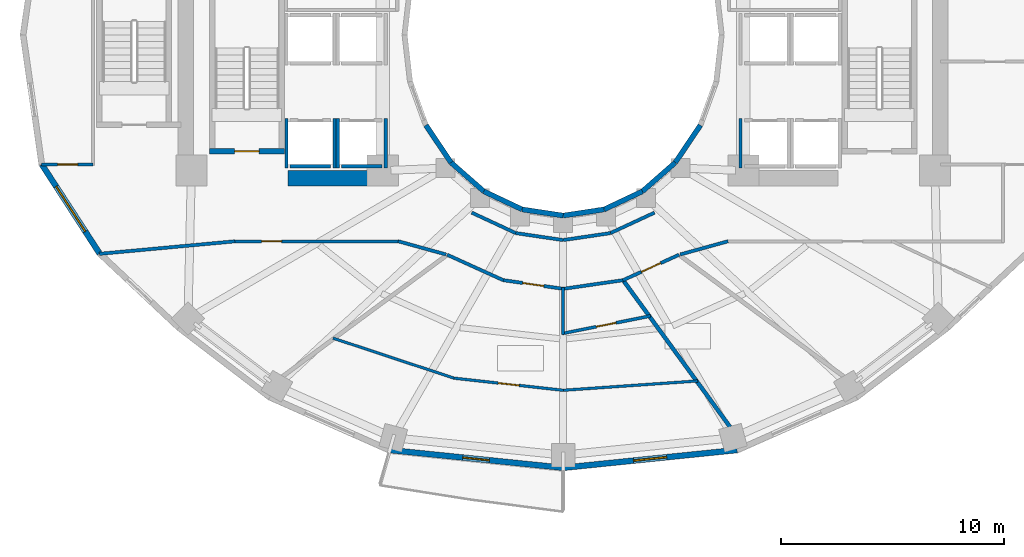
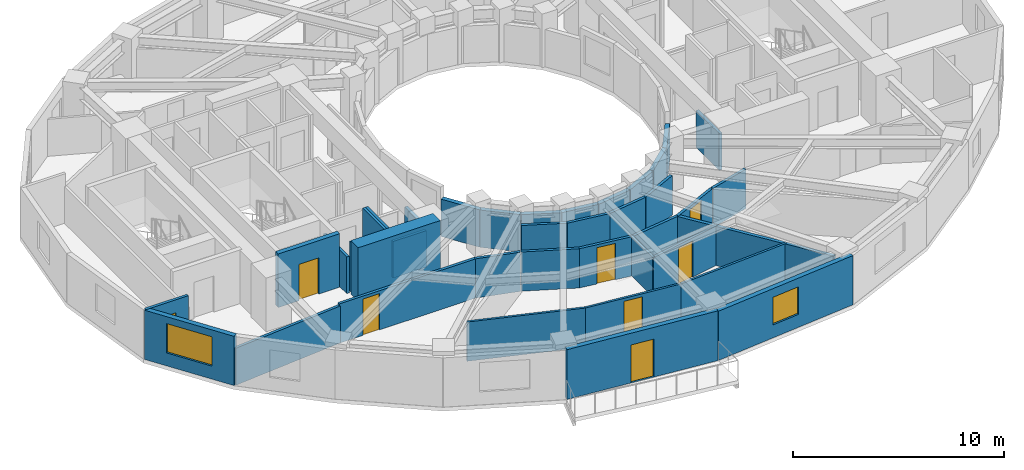
# One storey, part 3 of 9: 39 walls, 8 doors, 2 windows, 10 openings.
"""IFC4 building model written with IfcOpenShell, lengths in metres."""

from ifc_helpers import new_model, si_unit, direction, frame, frame_2d, origin, place, context, subcontext, project, spatial, rectangle, extrude, material, layer, layer_set, type_object, element, fill, save


model = new_model("IFC4")

# Units and contexts
model_context = context("Model", 3, precision=1e-05, world=origin(), true_north=direction((0.0, 1.0)))
body_context = subcontext(model_context, "Body", "Model", "MODEL_VIEW")
ifc_project = project(units=[si_unit("LENGTHUNIT", "METRE"), si_unit("AREAUNIT", "SQUARE_METRE"), si_unit("VOLUMEUNIT", "CUBIC_METRE"), si_unit("PLANEANGLEUNIT", "RADIAN"), si_unit("MASSUNIT", "GRAM", prefix="KILO")], contexts=[model_context])

# Site, building, storey
site_placement = place(None, origin())
site = spatial("IfcSite", under=ifc_project, at=site_placement, CompositionType="ELEMENT")
building_placement = place(site_placement, origin())
building = spatial("IfcBuilding", under=site, at=building_placement, Name="Solvane Sanctuary Tower", CompositionType="ELEMENT")
storey_placement = place(building_placement, frame((0.0, 0.0, 98.0)))
storey = spatial("IfcBuildingStorey", under=building, at=storey_placement, Name="L29", CompositionType="ELEMENT", Elevation=98.0)

# Walls
ifc_material_1 = material(Name="Concrete C60/75", Category="concrete")
ifc_layer_1 = layer(ifc_material_1, 0.699951171875, Name="Concrete C60/75")
ifc_layer_set_1 = layer_set([ifc_layer_1], Name="Concrete C60/75")
wall_type_1 = type_object("IfcWallType", Name="Wall W-CORE-700", PredefinedType="SHEAR", material=ifc_layer_set_1)
wall_1_placement = place(storey_placement, frame((19.64990234375, 16.550048828125, 0.0), z_axis=(0.0, 0.0, 1.0), x_axis=(1.0, 0.0, 0.0)))
element("IfcWall", 1, at=wall_1_placement, inside=storey, type_object=wall_type_1, Name="L29 Core Shear Wall WC-S", PredefinedType="SHEAR", context=body_context, shape_type="SweptSolid", body=[
    extrude(rectangle(XDim=4.5, YDim=0.699951171875, at=frame_2d((2.25, 0.0))), origin(), (0.0, 0.0, 1.0), 3.10009765625),
])
ifc_material_2 = material(Name="Acoustic Gypsum Partition Board")
ifc_layer_2 = layer(ifc_material_2, 0.14990234375, Name="Acoustic Gypsum Partition Board")
ifc_layer_set_2 = layer_set([ifc_layer_2], Name="Acoustic Gypsum Partition Board")
wall_type_2 = type_object("IfcWallType", Name="Wall W-CORR-150", PredefinedType="PARTITIONING", material=ifc_layer_set_2)
wall_2_placement = place(storey_placement, frame((27.889892578125, 15.01513671875, 0.0), z_axis=(0.0, 0.0, 1.0), x_axis=(0.906943449489, -0.421252393975, 0.0)))
element("IfcWall", 2, at=wall_2_placement, inside=storey, type_object=wall_type_2, Name="L29 Light-Well Corridor Rim Wall S1", PredefinedType="PARTITIONING", context=body_context, shape_type="SweptSolid", body=[
    extrude(rectangle(XDim=2.18603515625, YDim=0.14990234375, at=frame_2d((1.093017578125, 0.0))), origin(), (0.0, 0.0, 1.0), 2.27197265625),
])
for number, where, z_axis, x_axis, name in (
    (3, (29.87255859375, 14.09423828125, 0.0), (0.0, 0.0, 1.0), (0.989268584896, -0.146108408166, 0.0), "L29 Light-Well Corridor Rim Wall S2"),
    (4, (32.0, 13.780029296875, 0.0), (0.0, 0.0, 1.0), (0.989268584896, 0.146108408166, 0.0), "L29 Light-Well Corridor Rim Wall S3"),
):
    element("IfcWall", number, at=place(storey_placement, frame(where, z_axis=z_axis, x_axis=x_axis)), inside=storey, type_object=wall_type_2, Name=name, PredefinedType="PARTITIONING", context=body_context, shape_type="SweptSolid", body=[
        extrude(rectangle(XDim=2.150634765625, YDim=0.14990234375, at=frame_2d((1.0751953125, 0.0))), origin(), (0.0, 0.0, 1.0), 2.27197265625),
    ])
wall_3_placement = place(storey_placement, frame((34.12744140625, 14.09423828125, 0.0), z_axis=(0.0, 0.0, 1.0), x_axis=(0.906943449489, 0.421252393975, 0.0)))
element("IfcWall", 5, at=wall_3_placement, inside=storey, type_object=wall_type_2, Name="L29 Light-Well Corridor Rim Wall S4", PredefinedType="PARTITIONING", context=body_context, shape_type="SweptSolid", body=[
    extrude(rectangle(XDim=2.18603515625, YDim=0.14990234375, at=frame_2d((1.093017578125, 0.0))), origin(), (0.0, 0.0, 1.0), 2.27197265625),
])

# Wall, opening, door
wall_4_placement = place(storey_placement, frame((8.558349609375, 17.1748046875, 0.0), z_axis=(0.0, 0.0, 1.0), x_axis=(1.0, 0.0, 0.0)))
wall_4 = element("IfcWall", 6, at=wall_4_placement, inside=storey, type_object=wall_type_2, Name="L29 West Shoulder South Wall", PredefinedType="PARTITIONING", context=body_context, shape_type="SweptSolid", body=[
    extrude(rectangle(XDim=2.321533203125, YDim=0.14990234375, at=frame_2d((1.16064453125, 0.0))), origin(), (0.0, 0.0, 1.0), 2.85498046875),
])
opening_1_placement = place(wall_4_placement, frame((0.73095703125, 0.0, 0.0)))
opening_1 = element("IfcOpeningElement", 7, at=opening_1_placement, cuts=wall_4, Name="Opening D-L29-14", PredefinedType="OPENING", context=body_context, shape_type="SweptSolid", body=[
    extrude(rectangle(XDim=0.89990234375, YDim=2.10009765625, at=frame_2d((0.449951171875, 1.050048828125))), frame((0.0, 0.0849609375, 0.0), z_axis=(0.0, -1.0, 0.0), x_axis=(1.0, 0.0, 0.0)), (0.0, 0.0, 1.0), 0.169921875),
])
ifc_material_3 = material(Name="Engineered Tropical Hardwood", Category="wood")
door_type_1 = type_object("IfcDoorType", Name="Door D-WET-900", OperationType="NOTDEFINED", PredefinedType="DOOR", material=ifc_material_3)
door_1_placement = place(opening_1_placement, origin())
door_1 = element("IfcDoor", 8, at=door_1_placement, inside=storey, type_object=door_type_1, Name="L29 West Shoulder South Door", OperationType="SINGLE_SWING_RIGHT", OverallHeight=2.10009765625, OverallWidth=0.89990234375, PredefinedType="DOOR", context=body_context, shape_type="SweptSolid", body=[
    extrude(rectangle(XDim=0.89990234375, YDim=2.10009765625, at=frame_2d((0.449951171875, 1.050048828125))), frame((0.0, 0.02490234375, 0.0), z_axis=(0.0, -1.0, 0.0), x_axis=(1.0, 0.0, 0.0)), (0.0, 0.0, 1.0), 0.050048828125),
])
fill(opening_1, door_1)

# Wall
wall_5_placement = place(storey_placement, frame((26.741943359375, 13.13330078125, 0.0), z_axis=(0.0, 0.0, 1.0), x_axis=(-0.963833843713, 0.266503886865, 0.0)))
element("IfcWall", 9, at=wall_5_placement, inside=storey, type_object=wall_type_2, Name="L29 SW Corner Throat Wall", PredefinedType="PARTITIONING", context=body_context, shape_type="SweptSolid", body=[
    extrude(rectangle(XDim=2.231689453125, YDim=0.14990234375, at=frame_2d((1.11572265625, 0.0))), origin(), (0.0, 0.0, 1.0), 2.27197265625),
])

# Wall, opening, door
wall_6_placement = place(storey_placement, frame((17.14990234375, 13.719970703125, 0.0), z_axis=(0.0, 0.0, 1.0), x_axis=(1.0, 0.0, 0.0)))
wall_6 = element("IfcWall", 10, at=wall_6_placement, inside=storey, type_object=wall_type_2, Name="L29 SW Corner Corridor Wall", PredefinedType="PARTITIONING", context=body_context, shape_type="SweptSolid", body=[
    extrude(rectangle(XDim=7.52001953125, YDim=0.14990234375, at=frame_2d((3.760009765625, 0.0))), origin(), (0.0, 0.0, 1.0), 2.27197265625),
])
opening_2_placement = place(wall_6_placement, frame((1.300048828125, 0.0, 0.0)))
opening_2 = element("IfcOpeningElement", 11, at=opening_2_placement, cuts=wall_6, Name="Opening D-L29-18", PredefinedType="OPENING", context=body_context, shape_type="SweptSolid", body=[
    extrude(rectangle(XDim=0.89990234375, YDim=2.10009765625, at=frame_2d((0.449951171875, 1.050048828125))), frame((0.0, 0.0849609375, 0.0), z_axis=(0.0, -1.0, 0.0), x_axis=(1.0, 0.0, 0.0)), (0.0, 0.0, 1.0), 0.169921875),
])
door_2_placement = place(opening_2_placement, origin())
door_2 = element("IfcDoor", 12, at=door_2_placement, inside=storey, type_object=door_type_1, Name="L29 SW Corner Salon Door", OperationType="SINGLE_SWING_RIGHT", OverallHeight=2.10009765625, OverallWidth=0.89990234375, PredefinedType="DOOR", context=body_context, shape_type="SweptSolid", body=[
    extrude(rectangle(XDim=0.89990234375, YDim=2.10009765625, at=frame_2d((0.449951171875, 1.050048828125))), frame((0.0, 0.02490234375, 0.0), z_axis=(0.0, -1.0, 0.0), x_axis=(1.0, 0.0, 0.0)), (0.0, 0.0, 1.0), 0.050048828125),
])
fill(opening_2, door_2)

# Walls
wall_7_placement = place(storey_placement, frame((17.249755859375, 13.724609375, 0.0), z_axis=(0.0, 0.0, 1.0), x_axis=(-0.995748209098, -0.092116795851, 0.0)))
element("IfcWall", 13, at=wall_7_placement, inside=storey, type_object=wall_type_2, Name="L29 SW Corner Wing Wall", PredefinedType="PARTITIONING", context=body_context, shape_type="SweptSolid", body=[
    extrude(rectangle(XDim=6.111572265625, YDim=0.14990234375, at=frame_2d((3.0556640625, 0.0))), origin(), (0.0, 0.0, 1.0), 2.14208984375),
])
wall_8_placement = place(storey_placement, frame((37.258056640625, 13.13330078125, 0.0), z_axis=(0.0, 0.0, 1.0), x_axis=(0.963833843713, 0.266503886865, 0.0)))
element("IfcWall", 14, at=wall_8_placement, inside=storey, type_object=wall_type_2, Name="L29 SE Corner Throat Wall", PredefinedType="PARTITIONING", context=body_context, shape_type="SweptSolid", body=[
    extrude(rectangle(XDim=2.231689453125, YDim=0.14990234375, at=frame_2d((1.11572265625, 0.0))), origin(), (0.0, 0.0, 1.0), 2.27197265625),
])
wall_9_placement = place(storey_placement, frame((31.950439453125, 11.5830078125, 0.0), z_axis=(0.0, 0.0, 1.0), x_axis=(0.989761784218, 0.142729150844, 0.0)))
element("IfcWall", 15, at=wall_9_placement, inside=storey, type_object=wall_type_2, Name="L29 En-suite Inner Wall S1", PredefinedType="PARTITIONING", context=body_context, shape_type="SweptSolid", body=[
    extrude(rectangle(XDim=2.822265625, YDim=0.14990234375, at=frame_2d((1.4111328125, 0.0))), origin(), (0.0, 0.0, 1.0), 2.27197265625),
])
wall_10_placement = place(storey_placement, frame((26.788818359375, 13.12255859375, 0.0), z_axis=(0.0, 0.0, 1.0), x_axis=(0.910568469686, -0.41335827319, 0.0)))
element("IfcWall", 16, at=wall_10_placement, inside=storey, type_object=wall_type_2, Name="L29 Unit Corridor Wall S1", PredefinedType="PARTITIONING", context=body_context, shape_type="SweptSolid", body=[
    extrude(rectangle(XDim=2.771728515625, YDim=0.14990234375, at=frame_2d((1.3857421875, 0.0))), origin(), (0.0, 0.0, 1.0), 2.27197265625),
])

# Wall, opening, door
wall_11_placement = place(storey_placement, frame((29.298583984375, 11.98095703125, 0.0), z_axis=(0.0, 0.0, 1.0), x_axis=(0.989748682384, -0.142819976611, 0.0)))
wall_11 = element("IfcWall", 17, at=wall_11_placement, inside=storey, type_object=wall_type_2, Name="L29 Unit Corridor Wall S1", PredefinedType="PARTITIONING", context=body_context, shape_type="SweptSolid", body=[
    extrude(rectangle(XDim=2.73681640625, YDim=0.14990234375, at=frame_2d((1.368408203125, 0.0))), origin(), (0.0, 0.0, 1.0), 2.27197265625),
])
opening_3_placement = place(wall_11_placement, frame((0.893310546875, 0.0, 0.0)))
opening_3 = element("IfcOpeningElement", 18, at=opening_3_placement, cuts=wall_11, Name="Opening D-L29-27", PredefinedType="OPENING", context=body_context, shape_type="SweptSolid", body=[
    extrude(rectangle(XDim=0.949951171875, YDim=2.10009765625, at=frame_2d((0.47509765625, 1.050048828125))), frame((0.0, 0.0849609375, 0.0), z_axis=(0.0, -1.0, 0.0), x_axis=(1.0, 0.0, 0.0)), (0.0, 0.0, 1.0), 0.169921875),
])
door_type_2 = type_object("IfcDoorType", Name="Door D-ROOM-950", OperationType="NOTDEFINED", PredefinedType="DOOR", material=ifc_material_3)
door_3_placement = place(opening_3_placement, origin())
door_3 = element("IfcDoor", 19, at=door_3_placement, inside=storey, type_object=door_type_2, Name="L29 Unit Entrance Door S1", OperationType="SINGLE_SWING_LEFT", OverallHeight=2.10009765625, OverallWidth=0.949951171875, PredefinedType="DOOR", context=body_context, shape_type="SweptSolid", body=[
    extrude(rectangle(XDim=0.949951171875, YDim=2.10009765625, at=frame_2d((0.47509765625, 1.050048828125))), frame((0.0, 0.02490234375, 0.0), z_axis=(0.0, -1.0, 0.0), x_axis=(1.0, 0.0, 0.0)), (0.0, 0.0, 1.0), 0.050048828125),
])
fill(opening_3, door_3)

wall_12_placement = place(storey_placement, frame((34.687255859375, 11.976806640625, 0.0), z_axis=(0.0, 0.0, 1.0), x_axis=(0.910568469686, 0.41335827319, 0.0)))
wall_12 = element("IfcWall", 20, at=wall_12_placement, inside=storey, type_object=wall_type_2, Name="L29 Unit Corridor Wall S2", PredefinedType="PARTITIONING", context=body_context, shape_type="SweptSolid", body=[
    extrude(rectangle(XDim=2.771728515625, YDim=0.14990234375, at=frame_2d((1.3857421875, 0.0))), origin(), (0.0, 0.0, 1.0), 2.27197265625),
])
opening_4_placement = place(wall_12_placement, frame((0.910888671875, 0.0, 0.0)))
opening_4 = element("IfcOpeningElement", 21, at=opening_4_placement, cuts=wall_12, Name="Opening D-L29-28", PredefinedType="OPENING", context=body_context, shape_type="SweptSolid", body=[
    extrude(rectangle(XDim=0.949951171875, YDim=2.10009765625, at=frame_2d((0.47509765625, 1.050048828125))), frame((0.0, 0.0849609375, 0.0), z_axis=(0.0, -1.0, 0.0), x_axis=(1.0, 0.0, 0.0)), (0.0, 0.0, 1.0), 0.169921875),
])
door_4_placement = place(opening_4_placement, origin())
door_4 = element("IfcDoor", 22, at=door_4_placement, inside=storey, type_object=door_type_2, Name="L29 Unit Entrance Door S2", OperationType="SINGLE_SWING_RIGHT", OverallHeight=2.10009765625, OverallWidth=0.949951171875, PredefinedType="DOOR", context=body_context, shape_type="SweptSolid", body=[
    extrude(rectangle(XDim=0.949951171875, YDim=2.10009765625, at=frame_2d((0.47509765625, 1.050048828125))), frame((0.0, 0.02490234375, 0.0), z_axis=(0.0, -1.0, 0.0), x_axis=(1.0, 0.0, 0.0)), (0.0, 0.0, 1.0), 0.050048828125),
])
fill(opening_4, door_4)

# Wall, opening, window
ifc_material_4 = material(Name="Precast concrete C40/50", Category="concrete")
ifc_layer_3 = layer(ifc_material_4, 0.260009765625, Name="Precast concrete C40/50")
ifc_layer_set_3 = layer_set([ifc_layer_3], Name="Precast concrete C40/50")
wall_type_3 = type_object("IfcWallType", Name="Wall W-EXT-250", PredefinedType="STANDARD", material=ifc_layer_set_3)
wall_13_placement = place(storey_placement, frame((8.578125, 17.181396484375, 0.0), z_axis=(0.0, 0.0, 1.0), x_axis=(0.544388392991, -0.838833283541, 0.0)))
wall_13 = element("IfcWall", 23, at=wall_13_placement, inside=storey, type_object=wall_type_3, Name="L29 Ceramic-Printed Facade Wall 13", PredefinedType="STANDARD", context=body_context, shape_type="SweptSolid", body=[
    extrude(rectangle(XDim=4.7783203125, YDim=0.260009765625, at=frame_2d((2.38916015625, 0.0))), origin(), (0.0, 0.0, 1.0), 2.85009765625),
])
opening_5_placement = place(wall_13_placement, frame((1.189208984375, 0.0, 0.75)))
opening_5 = element("IfcOpeningElement", 24, at=opening_5_placement, cuts=wall_13, Name="Opening WN-RIB-2400", PredefinedType="OPENING", context=body_context, shape_type="SweptSolid", body=[
    extrude(rectangle(XDim=2.39990234375, YDim=1.699951171875, at=frame_2d((1.199951171875, 0.85009765625))), frame((0.0, 0.139892578125, 0.0), z_axis=(0.0, -1.0, 0.0), x_axis=(1.0, 0.0, 0.0)), (0.0, 0.0, 1.0), 0.280029296875),
])
ifc_material_5 = material(Name="Dark Ceramic-Fritted Low-E Glass", Category="glass")
window_type_1 = type_object("IfcWindowType", Name="Window WN-RIB-2400", PartitioningType="SINGLE_PANEL", PredefinedType="WINDOW", material=ifc_material_5)
window_1_placement = place(opening_5_placement, origin())
window_1 = element("IfcWindow", 25, at=window_1_placement, inside=storey, type_object=window_type_1, Name="L29 Operable Facade Window 13", OverallHeight=1.699951171875, OverallWidth=2.39990234375, PartitioningType="SINGLE_PANEL", PredefinedType="WINDOW", context=body_context, shape_type="SweptSolid", body=[
    extrude(rectangle(XDim=2.39990234375, YDim=1.699951171875, at=frame_2d((1.199951171875, 0.85009765625))), frame((0.0, 0.030029296875, 0.0), z_axis=(0.0, -1.0, 0.0), x_axis=(1.0, 0.0, 0.0)), (0.0, 0.0, 1.0), 0.06005859375),
])
fill(opening_5, window_1)

# Wall, opening, door
wall_14_placement = place(storey_placement, frame((24.18359375, 4.349365234375, 0.0), z_axis=(0.0, 0.0, 1.0), x_axis=(0.994821390558, -0.101638579726, 0.0)))
wall_14 = element("IfcWall", 26, at=wall_14_placement, inside=storey, type_object=wall_type_3, Name="L29 Balcony Facade Wall SC", PredefinedType="STANDARD", context=body_context, shape_type="SweptSolid", body=[
    extrude(rectangle(XDim=7.857177734375, YDim=0.260009765625, at=frame_2d((3.9287109375, 0.0))), origin(), (0.0, 0.0, 1.0), 2.8798828125),
])
opening_6_placement = place(wall_14_placement, frame((3.32861328125, 0.0, 0.0)))
opening_6 = element("IfcOpeningElement", 27, at=opening_6_placement, cuts=wall_14, Name="Opening D-L29-02", PredefinedType="OPENING", context=body_context, shape_type="SweptSolid", body=[
    extrude(rectangle(XDim=1.199951171875, YDim=2.199951171875, at=frame_2d((0.60009765625, 1.10009765625))), frame((0.0, 0.139892578125, 0.0), z_axis=(0.0, -1.0, 0.0), x_axis=(1.0, 0.0, 0.0)), (0.0, 0.0, 1.0), 0.280029296875),
])
ifc_material_6 = material(Name="Anodised Aluminium 6063-T6", Category="aluminium")
door_type_3 = type_object("IfcDoorType", Name="Door D-BALC-1200", OperationType="NOTDEFINED", PredefinedType="DOOR", material=ifc_material_6)
door_5_placement = place(opening_6_placement, origin())
door_5 = element("IfcDoor", 28, at=door_5_placement, inside=storey, type_object=door_type_3, Name="L29 Glazed Balcony Door SC", OperationType="SINGLE_SWING_LEFT", OverallHeight=2.199951171875, OverallWidth=1.199951171875, PredefinedType="DOOR", context=body_context, shape_type="SweptSolid", body=[
    extrude(rectangle(XDim=1.199951171875, YDim=2.199951171875, at=frame_2d((0.60009765625, 1.10009765625))), frame((0.0, 0.02490234375, 0.0), z_axis=(0.0, -1.0, 0.0), x_axis=(1.0, 0.0, 0.0)), (0.0, 0.0, 1.0), 0.050048828125),
])
fill(opening_6, door_5)

# Wall, opening, window
wall_15_placement = place(storey_placement, frame((32.0, 3.55078125, 0.0), z_axis=(0.0, 0.0, 1.0), x_axis=(0.994821390558, 0.101638579726, 0.0)))
wall_15 = element("IfcWall", 29, at=wall_15_placement, inside=storey, type_object=wall_type_3, Name="L29 Ceramic-Printed Facade Wall 18", PredefinedType="STANDARD", context=body_context, shape_type="SweptSolid", body=[
    extrude(rectangle(XDim=7.857177734375, YDim=0.260009765625, at=frame_2d((3.9287109375, 0.0))), origin(), (0.0, 0.0, 1.0), 2.85009765625),
])
opening_7_placement = place(wall_15_placement, frame((3.178466796875, 0.0, 0.75)))
opening_7 = element("IfcOpeningElement", 30, at=opening_7_placement, cuts=wall_15, Name="Opening WN-OPER-1500", PredefinedType="OPENING", context=body_context, shape_type="SweptSolid", body=[
    extrude(rectangle(XDim=1.5, YDim=1.60009765625, at=frame_2d((0.75, 0.800048828125))), frame((0.0, 0.139892578125, 0.0), z_axis=(0.0, -1.0, 0.0), x_axis=(1.0, 0.0, 0.0)), (0.0, 0.0, 1.0), 0.280029296875),
])
window_type_2 = type_object("IfcWindowType", Name="Window WN-OPER-1500", PartitioningType="SINGLE_PANEL", PredefinedType="WINDOW", material=ifc_material_5)
window_2_placement = place(opening_7_placement, origin())
window_2 = element("IfcWindow", 31, at=window_2_placement, inside=storey, type_object=window_type_2, Name="L29 Operable Facade Window 18", OverallHeight=1.60009765625, OverallWidth=1.5, PartitioningType="SINGLE_PANEL", PredefinedType="WINDOW", context=body_context, shape_type="SweptSolid", body=[
    extrude(rectangle(XDim=1.5, YDim=1.60009765625, at=frame_2d((0.75, 0.800048828125))), frame((0.0, 0.030029296875, 0.0), z_axis=(0.0, -1.0, 0.0), x_axis=(1.0, 0.0, 0.0)), (0.0, 0.0, 1.0), 0.06005859375),
])
fill(opening_7, window_2)

# Walls
ifc_layer_4 = layer(ifc_material_4, 0.22998046875, Name="Precast concrete C40/50")
ifc_layer_set_4 = layer_set([ifc_layer_4], Name="Precast concrete C40/50")
wall_type_4 = type_object("IfcWallType", Name="Wall W-EXT-SP220", PredefinedType="STANDARD", material=ifc_layer_set_4)
wall_16_placement = place(storey_placement, frame((25.833984375, 18.93994140625, 0.0), z_axis=(0.0, 0.0, 1.0), x_axis=(0.558197800898, -0.829707909492, 0.0)))
element("IfcWall", 32, at=wall_16_placement, inside=storey, type_object=wall_type_4, Name="L29 Central Light-Well Wall 14", PredefinedType="STANDARD", context=body_context, shape_type="SweptSolid", body=[
    extrude(rectangle(XDim=2.02685546875, YDim=0.22998046875, at=frame_2d((1.013427734375, 0.0))), origin(), (0.0, 0.0, 1.0), 2.159912109375),
])
wall_17_placement = place(storey_placement, frame((26.96533203125, 17.25830078125, 0.0), z_axis=(0.0, 0.0, 1.0), x_axis=(0.752576694707, -0.658504607869, 0.0)))
element("IfcWall", 33, at=wall_17_placement, inside=storey, type_object=wall_type_4, Name="L29 Central Light-Well Wall 15", PredefinedType="STANDARD", context=body_context, shape_type="SweptSolid", body=[
    extrude(rectangle(XDim=1.95947265625, YDim=0.22998046875, at=frame_2d((0.979736328125, 0.0))), origin(), (0.0, 0.0, 1.0), 2.159912109375),
])
wall_18_placement = place(storey_placement, frame((28.43994140625, 15.968017578125, 0.0), z_axis=(0.0, 0.0, 1.0), x_axis=(0.904179699603, -0.427152280606, 0.0)))
element("IfcWall", 34, at=wall_18_placement, inside=storey, type_object=wall_type_4, Name="L29 Central Light-Well Wall 16", PredefinedType="STANDARD", context=body_context, shape_type="SweptSolid", body=[
    extrude(rectangle(XDim=1.899169921875, YDim=0.22998046875, at=frame_2d((0.94970703125, 0.0))), origin(), (0.0, 0.0, 1.0), 2.159912109375),
])
for number, where, z_axis, x_axis, name in (
    (35, (30.1572265625, 15.15673828125, 0.0), (0.0, 0.0, 1.0), (0.988901730308, -0.148571086668, 0.0), "L29 Central Light-Well Wall 17"),
    (36, (32.0, 14.8798828125, 0.0), (0.0, 0.0, 1.0), (0.988901730308, 0.148571086668, 0.0), "L29 Central Light-Well Wall 18"),
):
    element("IfcWall", number, at=place(storey_placement, frame(where, z_axis=z_axis, x_axis=x_axis)), inside=storey, type_object=wall_type_4, Name=name, PredefinedType="STANDARD", context=body_context, shape_type="SweptSolid", body=[
        extrude(rectangle(XDim=1.863525390625, YDim=0.22998046875, at=frame_2d((0.931640625, 0.0))), origin(), (0.0, 0.0, 1.0), 2.159912109375),
    ])
wall_19_placement = place(storey_placement, frame((33.8427734375, 15.15673828125, 0.0), z_axis=(0.0, 0.0, 1.0), x_axis=(0.904179699603, 0.427152280606, 0.0)))
element("IfcWall", 37, at=wall_19_placement, inside=storey, type_object=wall_type_4, Name="L29 Central Light-Well Wall 19", PredefinedType="STANDARD", context=body_context, shape_type="SweptSolid", body=[
    extrude(rectangle(XDim=1.899169921875, YDim=0.22998046875, at=frame_2d((0.94970703125, 0.0))), origin(), (0.0, 0.0, 1.0), 2.159912109375),
])
wall_20_placement = place(storey_placement, frame((35.56005859375, 15.968017578125, 0.0), z_axis=(0.0, 0.0, 1.0), x_axis=(0.752576694707, 0.658504607869, 0.0)))
element("IfcWall", 38, at=wall_20_placement, inside=storey, type_object=wall_type_4, Name="L29 Central Light-Well Wall 20", PredefinedType="STANDARD", context=body_context, shape_type="SweptSolid", body=[
    extrude(rectangle(XDim=1.95947265625, YDim=0.22998046875, at=frame_2d((0.979736328125, 0.0))), origin(), (0.0, 0.0, 1.0), 2.159912109375),
])
wall_21_placement = place(storey_placement, frame((37.03466796875, 17.25830078125, 0.0), z_axis=(0.0, 0.0, 1.0), x_axis=(0.558197800898, 0.829707909492, 0.0)))
element("IfcWall", 39, at=wall_21_placement, inside=storey, type_object=wall_type_4, Name="L29 Central Light-Well Wall 21", PredefinedType="STANDARD", context=body_context, shape_type="SweptSolid", body=[
    extrude(rectangle(XDim=2.02685546875, YDim=0.22998046875, at=frame_2d((1.013427734375, 0.0))), origin(), (0.0, 0.0, 1.0), 2.159912109375),
])
ifc_layer_5 = layer(ifc_material_2, 0.1201171875, Name="Acoustic Gypsum Partition Board")
ifc_layer_set_5 = layer_set([ifc_layer_5], Name="Acoustic Gypsum Partition Board")
wall_type_5 = type_object("IfcWallType", Name="Wall W-MOV-100", PredefinedType="MOVABLE", material=ifc_layer_set_5)
wall_22_placement = place(storey_placement, frame((21.66015625, 9.3759765625, 0.0), z_axis=(0.0, 0.0, 1.0), x_axis=(0.949429126756, -0.313981421852, 0.0)))
element("IfcWall", 40, at=wall_22_placement, inside=storey, type_object=wall_type_5, Name="L29 Suite Sitting Lounge Partition S1", PredefinedType="MOVABLE", context=body_context, shape_type="SweptSolid", body=[
    extrude(rectangle(XDim=5.74072265625, YDim=0.1201171875, at=frame_2d((2.870361328125, 0.0))), origin(), (0.0, 0.0, 1.0), 2.27197265625),
])

# Wall, opening, door
wall_23_placement = place(storey_placement, frame((27.09130859375, 7.57763671875, 0.0), z_axis=(0.0, 0.0, 1.0), x_axis=(0.993892154322, -0.110355722898, 0.0)))
wall_23 = element("IfcWall", 41, at=wall_23_placement, inside=storey, type_object=wall_type_5, Name="L29 Suite Sitting Lounge Partition S1", PredefinedType="MOVABLE", context=body_context, shape_type="SweptSolid", body=[
    extrude(rectangle(XDim=4.948974609375, YDim=0.1201171875, at=frame_2d((2.474609375, 0.0))), origin(), (0.0, 0.0, 1.0), 2.27197265625),
])
opening_8_placement = place(wall_23_placement, frame((1.99951171875, 0.0, 0.0)))
opening_8 = element("IfcOpeningElement", 42, at=opening_8_placement, cuts=wall_23, Name="Opening D-L29-25", PredefinedType="OPENING", context=body_context, shape_type="SweptSolid", body=[
    extrude(rectangle(XDim=0.949951171875, YDim=2.10009765625, at=frame_2d((0.47509765625, 1.050048828125))), frame((0.0, 0.070068359375, 0.0), z_axis=(0.0, -1.0, 0.0), x_axis=(1.0, 0.0, 0.0)), (0.0, 0.0, 1.0), 0.14013671875),
])
door_6_placement = place(opening_8_placement, origin())
door_6 = element("IfcDoor", 43, at=door_6_placement, inside=storey, type_object=door_type_2, Name="L29 Suite Sitting Lounge Door S1", OperationType="SINGLE_SWING_LEFT", OverallHeight=2.10009765625, OverallWidth=0.949951171875, PredefinedType="DOOR", context=body_context, shape_type="SweptSolid", body=[
    extrude(rectangle(XDim=0.949951171875, YDim=2.10009765625, at=frame_2d((0.47509765625, 1.050048828125))), frame((0.0, 0.02490234375, 0.0), z_axis=(0.0, -1.0, 0.0), x_axis=(1.0, 0.0, 0.0)), (0.0, 0.0, 1.0), 0.050048828125),
])
fill(opening_8, door_6)

# Walls
wall_24_placement = place(storey_placement, frame((31.989990234375, 7.03173828125, 0.0), z_axis=(0.0, 0.0, 1.0), x_axis=(0.997605327057, 0.06916365684, 0.0)))
element("IfcWall", 44, at=wall_24_placement, inside=storey, type_object=wall_type_5, Name="L29 Suite Sitting Lounge Partition S1", PredefinedType="MOVABLE", context=body_context, shape_type="SweptSolid", body=[
    extrude(rectangle(XDim=6.071533203125, YDim=0.1201171875, at=frame_2d((3.03564453125, 0.0))), origin(), (0.0, 0.0, 1.0), 2.27197265625),
])
ifc_material_7 = material(Name="Concrete C50/60", Category="concrete")
ifc_layer_6 = layer(ifc_material_7, 0.14990234375, Name="Concrete C50/60")
ifc_layer_set_6 = layer_set([ifc_layer_6], Name="Concrete C50/60")
wall_type_6 = type_object("IfcWallType", Name="Wall W-SHAFT-150", PredefinedType="SOLIDWALL", material=ifc_layer_set_6)
wall_25_placement = place(storey_placement, frame((19.739990234375, 17.10009765625, 0.0), z_axis=(0.0, 0.0, 1.0), x_axis=(1.0, 0.0, 0.0)))
element("IfcWall", 45, at=wall_25_placement, inside=storey, type_object=wall_type_6, Name="L29 PL-1 Lift Shaft Wall B", PredefinedType="SOLIDWALL", context=body_context, shape_type="SweptSolid", body=[
    extrude(rectangle(XDim=1.820068359375, YDim=0.14990234375, at=frame_2d((0.91015625, 0.0))), origin(), (0.0, 0.0, 1.0), 2.85498046875),
])
wall_26_placement = place(storey_placement, frame((19.570068359375, 17.02001953125, 0.0), z_axis=(0.0, 0.0, 1.0), x_axis=(0.0, 1.0, 0.0)))
element("IfcWall", 46, at=wall_26_placement, inside=storey, type_object=wall_type_6, Name="L29 PL-1 Lift Shaft Wall S1", PredefinedType="SOLIDWALL", context=body_context, shape_type="SweptSolid", body=[
    extrude(rectangle(XDim=2.219970703125, YDim=0.14990234375, at=frame_2d((1.10986328125, 0.0))), origin(), (0.0, 0.0, 1.0), 2.1201171875),
])
wall_27_placement = place(storey_placement, frame((21.72998046875, 17.02001953125, 0.0), z_axis=(0.0, 0.0, 1.0), x_axis=(0.0, 1.0, 0.0)))
element("IfcWall", 47, at=wall_27_placement, inside=storey, type_object=wall_type_6, Name="L29 PL-1 Lift Shaft Wall S2", PredefinedType="SOLIDWALL", context=body_context, shape_type="SweptSolid", body=[
    extrude(rectangle(XDim=2.219970703125, YDim=0.14990234375, at=frame_2d((1.10986328125, 0.0))), origin(), (0.0, 0.0, 1.0), 2.85498046875),
])
wall_28_placement = place(storey_placement, frame((22.0400390625, 17.10009765625, 0.0), z_axis=(0.0, 0.0, 1.0), x_axis=(1.0, 0.0, 0.0)))
element("IfcWall", 48, at=wall_28_placement, inside=storey, type_object=wall_type_6, Name="L29 PL-2 Lift Shaft Wall B", PredefinedType="SOLIDWALL", context=body_context, shape_type="SweptSolid", body=[
    extrude(rectangle(XDim=1.820068359375, YDim=0.14990234375, at=frame_2d((0.91015625, 0.0))), origin(), (0.0, 0.0, 1.0), 2.1201171875),
])
wall_29_placement = place(storey_placement, frame((21.8701171875, 17.02001953125, 0.0), z_axis=(0.0, 0.0, 1.0), x_axis=(0.0, 1.0, 0.0)))
element("IfcWall", 49, at=wall_29_placement, inside=storey, type_object=wall_type_6, Name="L29 PL-2 Lift Shaft Wall S1", PredefinedType="SOLIDWALL", context=body_context, shape_type="SweptSolid", body=[
    extrude(rectangle(XDim=2.219970703125, YDim=0.14990234375, at=frame_2d((1.10986328125, 0.0))), origin(), (0.0, 0.0, 1.0), 2.85498046875),
])
for number, where, z_axis, x_axis, name in (
    (50, (24.030029296875, 17.02001953125, 0.0), (0.0, 0.0, 1.0), (0.0, 1.0, 0.0), "L29 PL-2 Lift Shaft Wall S2"),
    (51, (39.969970703125, 17.02001953125, 0.0), (0.0, 0.0, 1.0), (0.0, 1.0, 0.0), "L29 PL-3 Lift Shaft Wall S1"),
):
    element("IfcWall", number, at=place(storey_placement, frame(where, z_axis=z_axis, x_axis=x_axis)), inside=storey, type_object=wall_type_6, Name=name, PredefinedType="SOLIDWALL", context=body_context, shape_type="SweptSolid", body=[
        extrude(rectangle(XDim=2.219970703125, YDim=0.14990234375, at=frame_2d((1.10986328125, 0.0))), origin(), (0.0, 0.0, 1.0), 2.1201171875),
    ])

# Wall, opening, door
ifc_layer_7 = layer(ifc_material_7, 0.25, Name="Concrete C50/60")
ifc_layer_set_7 = layer_set([ifc_layer_7], Name="Concrete C50/60")
wall_type_7 = type_object("IfcWallType", Name="Wall W-SHAFT-250", PredefinedType="SOLIDWALL", material=ifc_layer_set_7)
wall_30_placement = place(storey_placement, frame((16.10498046875, 17.77001953125, 0.0), z_axis=(0.0, 0.0, 1.0), x_axis=(1.0, 0.0, 0.0)))
wall_30 = element("IfcWall", 52, at=wall_30_placement, inside=storey, type_object=wall_type_7, Name="L29 ST-1 Load-Bearing Shaft Wall S", PredefinedType="SOLIDWALL", context=body_context, shape_type="SweptSolid", body=[
    extrude(rectangle(XDim=3.3701171875, YDim=0.25, at=frame_2d((1.68505859375, 0.0))), origin(), (0.0, 0.0, 1.0), 3.10009765625),
])
opening_9_placement = place(wall_30_placement, frame((1.135009765625, 0.0, 0.0)))
opening_9 = element("IfcOpeningElement", 53, at=opening_9_placement, cuts=wall_30, Name="Opening D-L29-03", PredefinedType="OPENING", context=body_context, shape_type="SweptSolid", body=[
    extrude(rectangle(XDim=1.10009765625, YDim=2.10009765625, at=frame_2d((0.550048828125, 1.050048828125))), frame((0.0, 0.135009765625, 0.0), z_axis=(0.0, -1.0, 0.0), x_axis=(1.0, 0.0, 0.0)), (0.0, 0.0, 1.0), 0.27001953125),
])
ifc_material_8 = material(Name="Architectural Stainless Steel 316", Category="steel")
door_type_4 = type_object("IfcDoorType", Name="Door D-STAIR", OperationType="NOTDEFINED", PredefinedType="DOOR", material=ifc_material_8)
door_7_placement = place(opening_9_placement, origin())
door_7 = element("IfcDoor", 54, at=door_7_placement, inside=storey, type_object=door_type_4, Name="L29 ST-1 Exit Stair Fire Door", OperationType="SINGLE_SWING_LEFT", OverallHeight=2.10009765625, OverallWidth=1.10009765625, PredefinedType="DOOR", context=body_context, shape_type="SweptSolid", body=[
    extrude(rectangle(XDim=1.10009765625, YDim=2.10009765625, at=frame_2d((0.550048828125, 1.050048828125))), frame((0.0, 0.02490234375, 0.0), z_axis=(0.0, -1.0, 0.0), x_axis=(1.0, 0.0, 0.0)), (0.0, 0.0, 1.0), 0.050048828125),
])
fill(opening_9, door_7)

# Walls
ifc_layer_8 = layer(ifc_material_2, 0.179931640625, Name="Acoustic Gypsum Partition Board")
ifc_layer_set_8 = layer_set([ifc_layer_8], Name="Acoustic Gypsum Partition Board")
wall_type_8 = type_object("IfcWallType", Name="Wall W-UNIT-180", PredefinedType="PARTITIONING", material=ifc_layer_set_8)
wall_31_placement = place(storey_placement, frame((34.726806640625, 11.934326171875, 0.0), z_axis=(0.0, 0.0, 1.0), x_axis=(0.589042211476, -0.808102266486, 0.0)))
element("IfcWall", 55, at=wall_31_placement, inside=storey, type_object=wall_type_8, Name="L29 Radial Compartment Wall 285", PredefinedType="PARTITIONING", context=body_context, shape_type="SweptSolid", body=[
    extrude(rectangle(XDim=8.101318359375, YDim=0.179931640625, at=frame_2d((4.05078125, 0.0))), origin(), (0.0, 0.0, 1.0), 2.27197265625),
])
ifc_layer_9 = layer(ifc_material_2, 0.139892578125, Name="Acoustic Gypsum Partition Board")
ifc_layer_set_9 = layer_set([ifc_layer_9], Name="Acoustic Gypsum Partition Board")
wall_type_9 = type_object("IfcWallType", Name="Wall W-WET-140", PredefinedType="PLUMBINGWALL", material=ifc_layer_set_9)
wall_32_placement = place(storey_placement, frame((32.0, 11.639892578125, 0.0), z_axis=(0.0, 0.0, 1.0), x_axis=(0.0, -1.0, 0.0)))
element("IfcWall", 56, at=wall_32_placement, inside=storey, type_object=wall_type_9, Name="L29 En-suite Side Partition S1", PredefinedType="PLUMBINGWALL", context=body_context, shape_type="SweptSolid", body=[
    extrude(rectangle(XDim=2.099853515625, YDim=0.139892578125, at=frame_2d((1.0498046875, 0.0))), origin(), (0.0, 0.0, 1.0), 2.27197265625),
])

# Wall, opening, door
wall_33_placement = place(storey_placement, frame((31.950927734375, 9.580078125, 0.0), z_axis=(0.0, 0.0, 1.0), x_axis=(0.980668708329, 0.195675457082, 0.0)))
wall_33 = element("IfcWall", 57, at=wall_33_placement, inside=storey, type_object=wall_type_9, Name="L29 En-suite Bedroom Wall S1", PredefinedType="PLUMBINGWALL", context=body_context, shape_type="SweptSolid", body=[
    extrude(rectangle(XDim=4.048828125, YDim=0.139892578125, at=frame_2d((2.0244140625, 0.0))), origin(), (0.0, 0.0, 1.0), 2.27197265625),
])
opening_10_placement = place(wall_33_placement, frame((1.57421875, 0.0, 0.0)))
opening_10 = element("IfcOpeningElement", 58, at=opening_10_placement, cuts=wall_33, Name="Opening D-L29-26", PredefinedType="OPENING", context=body_context, shape_type="SweptSolid", body=[
    extrude(rectangle(XDim=0.89990234375, YDim=2.10009765625, at=frame_2d((0.449951171875, 1.050048828125))), frame((0.0, 0.079833984375, 0.0), z_axis=(0.0, -1.0, 0.0), x_axis=(1.0, 0.0, 0.0)), (0.0, 0.0, 1.0), 0.159912109375),
])
door_8_placement = place(opening_10_placement, origin())
door_8 = element("IfcDoor", 59, at=door_8_placement, inside=storey, type_object=door_type_1, Name="L29 En-suite Bathroom Door S1", OperationType="SINGLE_SWING_RIGHT", OverallHeight=2.10009765625, OverallWidth=0.89990234375, PredefinedType="DOOR", context=body_context, shape_type="SweptSolid", body=[
    extrude(rectangle(XDim=0.89990234375, YDim=2.10009765625, at=frame_2d((0.449951171875, 1.050048828125))), frame((0.0, 0.02490234375, 0.0), z_axis=(0.0, -1.0, 0.0), x_axis=(1.0, 0.0, 0.0)), (0.0, 0.0, 1.0), 0.050048828125),
])
fill(opening_10, door_8)

save(model, "model.ifc")
